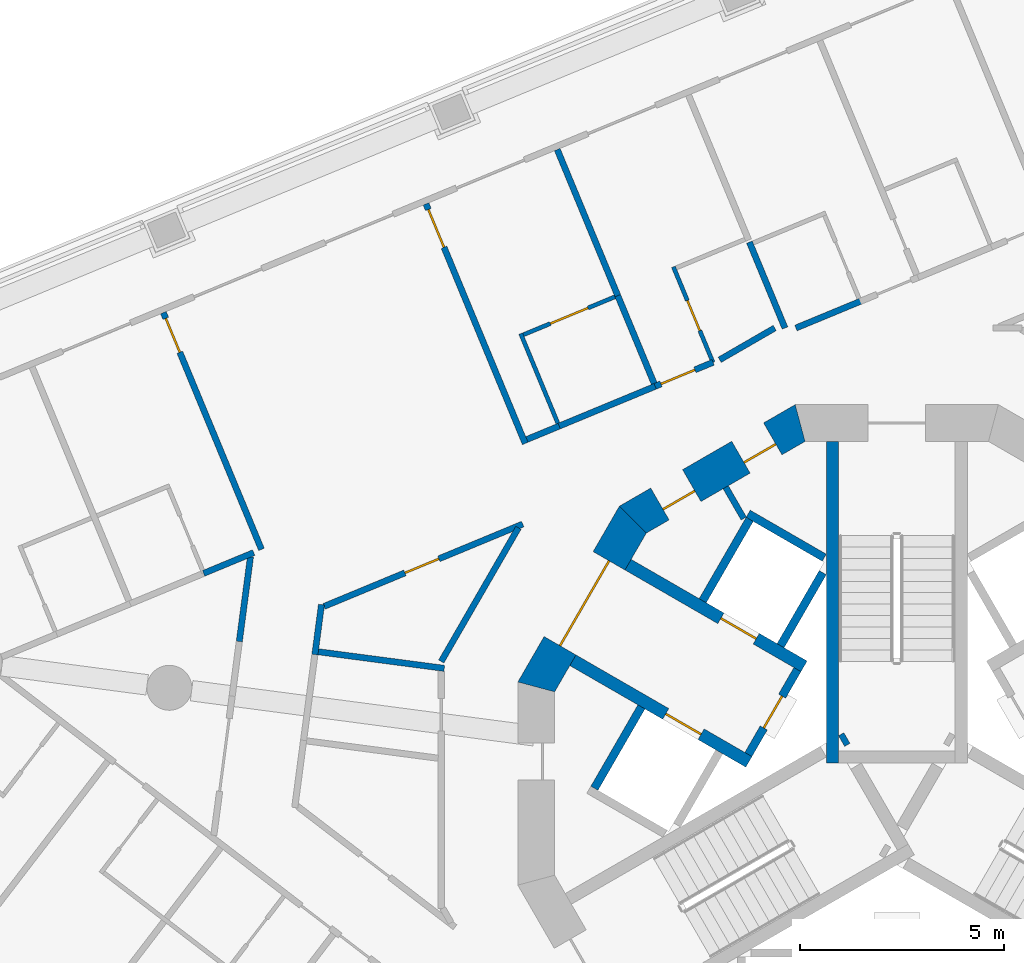
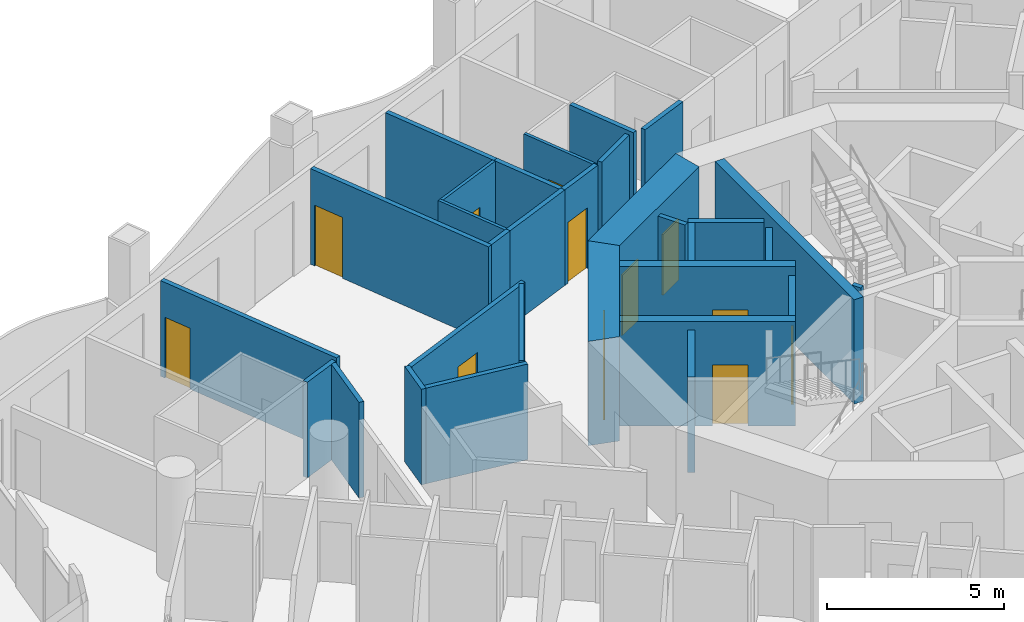
# One storey, part 7 of 17: 31 walls, 12 doors, 12 openings.
"""IFC4 building model written with IfcOpenShell, lengths in metres."""

from ifc_helpers import new_model, si_unit, direction, frame, frame_2d, origin, place, context, subcontext, project, spatial, polyline, rectangle, outline, extrude, material, layer, layer_set, type_object, element, fill, save


model = new_model("IFC4")

# Units and contexts
model_context = context("Model", 3, precision=1e-05, world=origin(), true_north=direction((0.0, 1.0)))
body_context = subcontext(model_context, "Body", "Model", "MODEL_VIEW")
ifc_project = project(units=[si_unit("LENGTHUNIT", "METRE"), si_unit("AREAUNIT", "SQUARE_METRE"), si_unit("VOLUMEUNIT", "CUBIC_METRE"), si_unit("PLANEANGLEUNIT", "RADIAN"), si_unit("MASSUNIT", "GRAM", prefix="KILO")], contexts=[model_context])

# Site, building, storey
site_placement = place(None, origin())
site = spatial("IfcSite", under=ifc_project, at=site_placement, CompositionType="ELEMENT")
building_placement = place(site_placement, origin())
building = spatial("IfcBuilding", under=site, at=building_placement, Name="Trine Commons Tower", CompositionType="ELEMENT")
storey_placement = place(building_placement, frame((0.0, 0.0, 138.60009765625)))
storey = spatial("IfcBuildingStorey", under=building, at=storey_placement, Name="L35", CompositionType="ELEMENT", Elevation=138.60009765625)

# Wall
ifc_material_1 = material(Name="Plasterboard partition on steel studs", Category="steel")
ifc_layer_1 = layer(ifc_material_1, 0.14990234375)
ifc_layer_set_1 = layer_set([ifc_layer_1], Name="Plasterboard partition on steel studs")
wall_type_1 = type_object("IfcWallType", Name="Core room partition 150 mm, EI 60", PredefinedType="PARTITIONING", material=ifc_layer_set_1)
wall_1_placement = place(storey_placement, frame((75.81396484375, 69.7509765625, 0.0), z_axis=(0.0, 0.0, 1.0), x_axis=(0.499890179513, -0.866088799389, 0.0)))
element("IfcWall", 1, at=wall_1_placement, inside=storey, type_object=wall_type_1, Name="Core room partition L35", PredefinedType="PARTITIONING", context=body_context, shape_type="SweptSolid", body=[
    extrude(rectangle(XDim=0.882080078125, YDim=0.14990234375, at=frame_2d((0.44091796875, 0.0))), origin(), (0.0, 0.0, 1.0), 3.2998046875),
])

# Wall, opening, door
ifc_material_2 = material(Name="Fire-rated gypsum shaft wall system")
ifc_layer_2 = layer(ifc_material_2, 0.199951171875)
ifc_layer_set_2 = layer_set([ifc_layer_2], Name="Fire-rated gypsum shaft wall system")
wall_type_2 = type_object("IfcWallType", Name="Lobby end wall 200 mm, EI 120", PredefinedType="PARTITIONING", material=ifc_layer_set_2)
wall_2_placement = place(storey_placement, frame((77.569091796875, 65.2890625, 0.0), z_axis=(0.0, 0.0, 1.0), x_axis=(-0.50012165622, -0.865955154139, 0.0)))
wall_2 = element("IfcWall", 2, at=wall_2_placement, inside=storey, type_object=wall_type_2, Name="Lobby end wall L35", PredefinedType="PARTITIONING", context=body_context, shape_type="SweptSolid", body=[
    extrude(rectangle(XDim=2.39990234375, YDim=0.199951171875, at=frame_2d((1.199951171875, 0.0))), origin(), (0.0, 0.0, 1.0), 3.2998046875),
])
opening_1_placement = place(wall_2_placement, frame((0.749755859375, 0.0, 0.0)))
opening_1 = element("IfcOpeningElement", 3, at=opening_1_placement, cuts=wall_2, Name="Opening K10.07", PredefinedType="OPENING", context=body_context, shape_type="SweptSolid", body=[
    extrude(rectangle(XDim=0.89990234375, YDim=2.10009765625, at=frame_2d((0.449951171875, 1.050048828125))), frame((0.0, 0.10986328125, 0.0), z_axis=(0.0, -1.0, 0.0), x_axis=(1.0, 0.0, 0.0)), (0.0, 0.0, 1.0), 0.219970703125),
])
ifc_material_3 = material(Name="Steel door leaf, fire-rated", Category="steel")
door_type_1 = type_object("IfcDoorType", Name="Riser access door, single leaf 900 x 2100, FD60", OperationType="SINGLE_SWING_LEFT", PredefinedType="DOOR", material=ifc_material_3)
door_1_placement = place(opening_1_placement, frame((0.89990234375, 0.0, 0.0), z_axis=(0.0, 0.0, 1.0), x_axis=(-1.0, 0.0, 0.0)))
door_1 = element("IfcDoor", 4, at=door_1_placement, inside=storey, type_object=door_type_1, Name="Riser door, Mechanical riser L35", OperationType="SINGLE_SWING_RIGHT", OverallHeight=2.10009765625, OverallWidth=0.89990234375, PredefinedType="DOOR", context=body_context, shape_type="SweptSolid", body=[
    extrude(rectangle(XDim=0.89990234375, YDim=2.10009765625, at=frame_2d((0.449951171875, 1.050048828125))), frame((0.0, 0.02490234375, 0.0), z_axis=(0.0, -1.0, 0.0), x_axis=(1.0, 0.0, 0.0)), (0.0, 0.0, 1.0), 0.050048828125),
])
fill(opening_1, door_1)

ifc_material_4 = material(Name="Concrete C70/85", Category="concrete")
ifc_layer_3 = layer(ifc_material_4, 0.300048828125)
ifc_layer_set_3 = layer_set([ifc_layer_3], Name="Concrete C70/85")
wall_type_3 = type_object("IfcWallType", Name="RC shear wall 300 mm, C70/85", PredefinedType="SHEAR", material=ifc_layer_set_3)
wall_3_placement = place(storey_placement, frame((76.381103515625, 63.031005859375, 0.0), z_axis=(0.0, 0.0, 1.0), x_axis=(-0.866080953719, 0.499903772346, 0.0)))
wall_3 = element("IfcWall", 5, at=wall_3_placement, inside=storey, type_object=wall_type_3, Name="Core cross wall SWB-01 L35", PredefinedType="SHEAR", context=body_context, shape_type="SweptSolid", body=[
    extrude(rectangle(XDim=4.97314453125, YDim=0.300048828125, at=frame_2d((2.486572265625, 0.0))), origin(), (0.0, 0.0, 1.0), 3.599853515625),
])
opening_2_placement = place(wall_3_placement, frame((1.350341796875, 0.0, 0.0)))
opening_2 = element("IfcOpeningElement", 6, at=opening_2_placement, cuts=wall_3, Name="Opening LD7", PredefinedType="OPENING", context=body_context, shape_type="SweptSolid", body=[
    extrude(rectangle(XDim=1.0, YDim=2.10009765625, at=frame_2d((0.5, 1.050048828125))), frame((0.0, 0.159912109375, 0.0), z_axis=(0.0, -1.0, 0.0), x_axis=(1.0, 0.0, 0.0)), (0.0, 0.0, 1.0), 0.320068359375),
])
ifc_material_5 = material(Name="Stainless steel sliding door leaves", Category="steel")
door_type_2 = type_object("IfcDoorType", Name="Lift landing door, centre-opening sliding 1000 x 2100, FD90", OperationType="DOUBLE_DOOR_SLIDING", PredefinedType="DOOR", material=ifc_material_5)
door_2_placement = place(opening_2_placement, origin())
door_2 = element("IfcDoor", 7, at=door_2_placement, inside=storey, type_object=door_type_2, Name="Lift landing door HR3 L35", OperationType="DOUBLE_DOOR_SLIDING", OverallHeight=2.10009765625, OverallWidth=1.0, PredefinedType="DOOR", context=body_context, shape_type="SweptSolid", body=[
    extrude(rectangle(XDim=1.0, YDim=2.10009765625, at=frame_2d((0.5, 1.050048828125))), frame((0.0, 0.02490234375, 0.0), z_axis=(0.0, -1.0, 0.0), x_axis=(1.0, 0.0, 0.0)), (0.0, 0.0, 1.0), 0.050048828125),
])
fill(opening_2, door_2)

wall_4_placement = place(storey_placement, frame((77.73095703125, 65.368896484375, 0.0), z_axis=(0.0, 0.0, 1.0), x_axis=(-0.865983655544, 0.500072303102, 0.0)))
wall_4 = element("IfcWall", 8, at=wall_4_placement, inside=storey, type_object=wall_type_3, Name="Core cross wall SWB-02 L35", PredefinedType="SHEAR", context=body_context, shape_type="SweptSolid", body=[
    extrude(rectangle(XDim=4.973388671875, YDim=0.300048828125, at=frame_2d((2.48681640625, 0.0))), origin(), (0.0, 0.0, 1.0), 3.599853515625),
])
opening_3_placement = place(wall_4_placement, frame((1.3505859375, 0.0, 0.0)))
opening_3 = element("IfcOpeningElement", 9, at=opening_3_placement, cuts=wall_4, Name="Opening LD8", PredefinedType="OPENING", context=body_context, shape_type="SweptSolid", body=[
    extrude(rectangle(XDim=1.0, YDim=2.10009765625, at=frame_2d((0.5, 1.050048828125))), frame((0.0, 0.159912109375, 0.0), z_axis=(0.0, -1.0, 0.0), x_axis=(1.0, 0.0, 0.0)), (0.0, 0.0, 1.0), 0.320068359375),
])
door_3_placement = place(opening_3_placement, origin())
door_3 = element("IfcDoor", 10, at=door_3_placement, inside=storey, type_object=door_type_2, Name="Lift landing door HR4 L35", OperationType="DOUBLE_DOOR_SLIDING", OverallHeight=2.10009765625, OverallWidth=1.0, PredefinedType="DOOR", context=body_context, shape_type="SweptSolid", body=[
    extrude(rectangle(XDim=1.0, YDim=2.10009765625, at=frame_2d((0.5, 1.050048828125))), frame((0.0, 0.02490234375, 0.0), z_axis=(0.0, -1.0, 0.0), x_axis=(1.0, 0.0, 0.0)), (0.0, 0.0, 1.0), 0.050048828125),
])
fill(opening_3, door_3)

# Walls
wall_5_placement = place(storey_placement, frame((78.425048828125, 63.0009765625, 0.0), z_axis=(0.0, 0.0, 1.0), x_axis=(0.0, 1.0, 0.0)))
element("IfcWall", 11, at=wall_5_placement, inside=storey, type_object=wall_type_3, Name="Core cross wall SWB-08 L35", PredefinedType="SHEAR", context=body_context, shape_type="SweptSolid", body=[
    extrude(rectangle(XDim=7.8720703125, YDim=0.300048828125, at=frame_2d((3.93603515625, 0.0))), origin(), (0.0, 0.0, 1.0), 3.599853515625),
])
wall_6_placement = place(storey_placement, frame((78.779052734375, 63.614013671875, 0.0), z_axis=(0.0, 0.0, 1.0), x_axis=(-0.867737973955, -0.497021939713, 0.0)))
element("IfcWall", 12, at=wall_6_placement, inside=storey, type_object=wall_type_3, Name="Core cross wall SWB-09 L35", PredefinedType="SHEAR", context=body_context, shape_type="SweptSolid", body=[
    extrude(rectangle(XDim=0.14892578125, YDim=0.300048828125, at=frame_2d((0.074462890625, 0.0))), origin(), (0.0, 0.0, 1.0), 3.599853515625),
])

# Wall, openings, doors
ifc_layer_4 = layer(ifc_material_4, 0.89990234375)
ifc_layer_set_4 = layer_set([ifc_layer_4], Name="Concrete C70/85")
wall_type_4 = type_object("IfcWallType", Name="RC shear wall 900 mm, C70/85", PredefinedType="SHEAR", material=ifc_layer_set_4)
wall_7_placement = place(storey_placement, frame((77.740234375, 71.38330078125, 0.0), z_axis=(0.0, 0.0, 1.0), x_axis=(-0.866003133579, -0.500038571144, 0.0)))
wall_7 = element("IfcWall", 13, at=wall_7_placement, inside=storey, type_object=wall_type_4, Name="Core wall CWD-05 L35", PredefinedType="SHEAR", context=body_context, shape_type="SweptSolid", body=[
    extrude(outline(polyline([(0.0, -0.449951171875), (4.96923828125, -0.449951171875), (4.72802734375, 0.449951171875), (0.2412109375, 0.449951171875), (0.0, -0.449951171875)])), origin(), (0.0, 0.0, 1.0), 3.599853515625),
])
opening_4_placement = place(wall_7_placement, frame((0.89501953125, 0.0, 0.0)))
opening_4 = element("IfcOpeningElement", 14, at=opening_4_placement, cuts=wall_7, Name="Opening K10.13", PredefinedType="OPENING", context=body_context, shape_type="SweptSolid", body=[
    extrude(rectangle(XDim=0.89990234375, YDim=2.10009765625, at=frame_2d((0.449951171875, 1.050048828125))), frame((0.0, 0.4599609375, 0.0), z_axis=(0.0, -1.0, 0.0), x_axis=(1.0, 0.0, 0.0)), (0.0, 0.0, 1.0), 0.919921875),
])
opening_5_placement = place(wall_7_placement, frame((3.18408203125, 0.0, 0.0)))
opening_5 = element("IfcOpeningElement", 15, at=opening_5_placement, cuts=wall_7, Name="Opening K10.14", PredefinedType="OPENING", context=body_context, shape_type="SweptSolid", body=[
    extrude(rectangle(XDim=0.89990234375, YDim=2.10009765625, at=frame_2d((0.449951171875, 1.050048828125))), frame((0.0, 0.4599609375, 0.0), z_axis=(0.0, -1.0, 0.0), x_axis=(1.0, 0.0, 0.0)), (0.0, 0.0, 1.0), 0.919921875),
])
door_type_3 = type_object("IfcDoorType", Name="Core room door, single leaf 900 x 2100, FD30S", OperationType="SINGLE_SWING_LEFT", PredefinedType="DOOR", material=ifc_material_3)
door_4_placement = place(opening_4_placement, origin())
door_4 = element("IfcDoor", 16, at=door_4_placement, inside=storey, type_object=door_type_3, Name="Door to Parcel store L35", OperationType="SINGLE_SWING_LEFT", OverallHeight=2.10009765625, OverallWidth=0.89990234375, PredefinedType="DOOR", context=body_context, shape_type="SweptSolid", body=[
    extrude(rectangle(XDim=0.89990234375, YDim=2.10009765625, at=frame_2d((0.449951171875, 1.050048828125))), frame((0.0, 0.1748046875, 0.0), z_axis=(0.0, -1.0, 0.0), x_axis=(1.0, 0.0, 0.0)), (0.0, 0.0, 1.0), 0.050048828125),
])
fill(opening_4, door_4)
door_5_placement = place(opening_5_placement, origin())
door_5 = element("IfcDoor", 17, at=door_5_placement, inside=storey, type_object=door_type_3, Name="Door to Print room L35", OperationType="SINGLE_SWING_RIGHT", OverallHeight=2.10009765625, OverallWidth=0.89990234375, PredefinedType="DOOR", context=body_context, shape_type="SweptSolid", body=[
    extrude(rectangle(XDim=0.89990234375, YDim=2.10009765625, at=frame_2d((0.449951171875, 1.050048828125))), frame((0.0, 0.1748046875, 0.0), z_axis=(0.0, -1.0, 0.0), x_axis=(1.0, 0.0, 0.0)), (0.0, 0.0, 1.0), 0.050048828125),
])
fill(opening_5, door_5)

# Wall, opening, door
wall_8_placement = place(storey_placement, frame((73.6015625, 69.063232421875, 0.0), z_axis=(0.0, 0.0, 1.0), x_axis=(-0.500038571144, -0.866003133579, 0.0)))
wall_8 = element("IfcWall", 18, at=wall_8_placement, inside=storey, type_object=wall_type_4, Name="Core wall CWD-06 L35", PredefinedType="SHEAR", context=body_context, shape_type="SweptSolid", body=[
    extrude(outline(polyline([(0.0, -0.449951171875), (4.96923828125, -0.449951171875), (4.72802734375, 0.449951171875), (0.2412109375, 0.449951171875), (0.0, -0.449951171875)])), origin(), (0.0, 0.0, 1.0), 3.599853515625),
])
opening_6_placement = place(wall_8_placement, frame((1.28466796875, 0.0, 0.0)))
opening_6 = element("IfcOpeningElement", 19, at=opening_6_placement, cuts=wall_8, Name="Opening K10.06", PredefinedType="OPENING", context=body_context, shape_type="SweptSolid", body=[
    extrude(rectangle(XDim=2.39990234375, YDim=2.10009765625, at=frame_2d((1.199951171875, 1.050048828125))), frame((0.0, 0.4599609375, 0.0), z_axis=(0.0, -1.0, 0.0), x_axis=(1.0, 0.0, 0.0)), (0.0, 0.0, 1.0), 0.919921875),
])
ifc_material_6 = material(Name="Steel door leaves, fire-rated", Category="steel")
door_type_4 = type_object("IfcDoorType", Name="Lobby door, double leaf 2400 x 2100, FD60", OperationType="DOUBLE_DOOR_SINGLE_SWING", PredefinedType="DOOR", material=ifc_material_6)
door_6_placement = place(opening_6_placement, origin())
door_6 = element("IfcDoor", 20, at=door_6_placement, inside=storey, type_object=door_type_4, Name="Lobby door, Passenger lift lobby B L35", OperationType="DOUBLE_DOOR_SINGLE_SWING", OverallHeight=2.10009765625, OverallWidth=2.39990234375, PredefinedType="DOOR", context=body_context, shape_type="SweptSolid", body=[
    extrude(rectangle(XDim=2.39990234375, YDim=2.10009765625, at=frame_2d((1.199951171875, 1.050048828125))), frame((0.0, 0.02490234375, 0.0), z_axis=(0.0, -1.0, 0.0), x_axis=(1.0, 0.0, 0.0)), (0.0, 0.0, 1.0), 0.050048828125),
])
fill(opening_6, door_6)

# Walls
ifc_layer_5 = layer(ifc_material_2, 0.199951171875)
ifc_layer_set_5 = layer_set([ifc_layer_5], Name="Fire-rated gypsum shaft wall system")
wall_type_5 = type_object("IfcWallType", Name="Shaft wall 200 mm, EI 120", PredefinedType="PARTITIONING", material=ifc_layer_set_5)
for number, where, z_axis, x_axis, name in (
    (21, (73.7509765625, 64.3759765625, 0.0), (0.0, 0.0, 1.0), (-0.500136062276, -0.86594683394, 0.0), "Shaft wall L35"),
    (22, (75.2509765625, 66.97412109375, 0.0), (0.0, 0.0, 1.0), (0.500136062276, 0.86594683394, 0.0), "Shaft wall L35"),
):
    element("IfcWall", number, at=place(storey_placement, frame(where, z_axis=z_axis, x_axis=x_axis)), inside=storey, type_object=wall_type_5, Name=name, PredefinedType="PARTITIONING", context=body_context, shape_type="SweptSolid", body=[
        extrude(rectangle(XDim=2.299072265625, YDim=0.199951171875, at=frame_2d((1.1494140625, 0.0))), origin(), (0.0, 0.0, 1.0), 3.2998046875),
    ])
wall_9_placement = place(storey_placement, frame((77.156005859375, 65.8740234375, 0.0), z_axis=(0.0, 0.0, 1.0), x_axis=(0.499865770674, 0.866102887253, 0.0)))
element("IfcWall", 23, at=wall_9_placement, inside=storey, type_object=wall_type_5, Name="Shaft wall L35", PredefinedType="PARTITIONING", context=body_context, shape_type="SweptSolid", body=[
    extrude(rectangle(XDim=2.064453125, YDim=0.199951171875, at=frame_2d((1.0322265625, 0.0))), origin(), (0.0, 0.0, 1.0), 3.2998046875),
])
wall_10_placement = place(storey_placement, frame((78.22509765625, 68.028076171875, 0.0), z_axis=(0.0, 0.0, 1.0), x_axis=(-0.866130725101, 0.499817533742, 0.0)))
element("IfcWall", 24, at=wall_10_placement, inside=storey, type_object=wall_type_5, Name="Shaft wall L35", PredefinedType="PARTITIONING", context=body_context, shape_type="SweptSolid", body=[
    extrude(rectangle(XDim=2.148681640625, YDim=0.199951171875, at=frame_2d((1.07421875, 0.0))), origin(), (0.0, 0.0, 1.0), 3.2998046875),
])

# Wall, opening, door
ifc_material_7 = material(Name="Gypsum plasterboard on steel stud", Category="steel")
ifc_layer_6 = layer(ifc_material_7, 0.14990234375)
ifc_layer_set_6 = layer_set([ifc_layer_6], Name="Gypsum plasterboard on steel stud")
wall_type_6 = type_object("IfcWallType", Name="Unit and corridor wall 150 mm, EI 60", PredefinedType="PARTITIONING", material=ifc_layer_set_6)
wall_11_placement = place(storey_placement, frame((62.05322265625, 74.02294921875, 0.0), z_axis=(0.0, 0.0, 1.0), x_axis=(0.382756471404, -0.923849275368, 0.0)))
wall_11 = element("IfcWall", 25, at=wall_11_placement, inside=storey, type_object=wall_type_6, Name="Partition 017", PredefinedType="PARTITIONING", context=body_context, shape_type="SweptSolid", body=[
    extrude(rectangle(XDim=6.26953125, YDim=0.14990234375, at=frame_2d((3.134765625, 0.0))), origin(), (0.0, 0.0, 1.0), 3.2998046875),
])
opening_7_placement = place(wall_11_placement, frame((0.14990234375, 0.0, 0.0)))
opening_7 = element("IfcOpeningElement", 26, at=opening_7_placement, cuts=wall_11, Name="Opening D-4B06", PredefinedType="OPENING", context=body_context, shape_type="SweptSolid", body=[
    extrude(rectangle(XDim=0.89990234375, YDim=2.10009765625, at=frame_2d((0.449951171875, 1.050048828125))), frame((0.0, 0.0849609375, 0.0), z_axis=(0.0, -1.0, 0.0), x_axis=(1.0, 0.0, 0.0)), (0.0, 0.0, 1.0), 0.169921875),
])
ifc_material_8 = material(Name="Timber fire door set", Category="wood")
door_type_5 = type_object("IfcDoorType", Name="Bedroom door 900 x 2100, FD30S", OperationType="NOTDEFINED", PredefinedType="DOOR", material=ifc_material_8)
door_7_placement = place(opening_7_placement, frame((0.89990234375, 0.0, 0.0), z_axis=(0.0, 0.0, 1.0), x_axis=(-1.0, 0.0, 0.0)))
door_7 = element("IfcDoor", 27, at=door_7_placement, inside=storey, type_object=door_type_5, Name="Door D-4B06", OperationType="SINGLE_SWING_RIGHT", OverallHeight=2.10009765625, OverallWidth=0.89990234375, PredefinedType="DOOR", context=body_context, shape_type="SweptSolid", body=[
    extrude(rectangle(XDim=0.89990234375, YDim=2.10009765625, at=frame_2d((0.449951171875, 1.050048828125))), frame((0.0, 0.02490234375, 0.0), z_axis=(0.0, -1.0, 0.0), x_axis=(1.0, 0.0, 0.0)), (0.0, 0.0, 1.0), 0.050048828125),
])
fill(opening_7, door_7)

# Walls
wall_12_placement = place(storey_placement, frame((63.0380859375, 67.64404296875, 0.0), z_axis=(0.0, 0.0, 1.0), x_axis=(0.923848523473, 0.38275828623, 0.0)))
element("IfcWall", 28, at=wall_12_placement, inside=storey, type_object=wall_type_6, Name="Partition 021", PredefinedType="PARTITIONING", context=body_context, shape_type="SweptSolid", body=[
    extrude(rectangle(XDim=1.326171875, YDim=0.14990234375, at=frame_2d((0.6630859375, 0.0))), origin(), (0.0, 0.0, 1.0), 3.2998046875),
])
wall_13_placement = place(storey_placement, frame((63.910888671875, 65.97705078125, 0.0), z_axis=(0.0, 0.0, 1.0), x_axis=(0.13074768898, 0.9914156756, 0.0)))
element("IfcWall", 29, at=wall_13_placement, inside=storey, type_object=wall_type_6, Name="Partition 025", PredefinedType="PARTITIONING", context=body_context, shape_type="SweptSolid", body=[
    extrude(rectangle(XDim=2.08935546875, YDim=0.14990234375, at=frame_2d((1.044677734375, 0.0))), origin(), (0.0, 0.0, 1.0), 3.2998046875),
])
wall_14_placement = place(storey_placement, frame((65.76025390625, 65.656494140625, 0.0), z_axis=(0.0, 0.0, 1.0), x_axis=(0.131022785859, 0.99137935705, 0.0)))
element("IfcWall", 30, at=wall_14_placement, inside=storey, type_object=wall_type_6, Name="Partition 031", PredefinedType="PARTITIONING", context=body_context, shape_type="SweptSolid", body=[
    extrude(rectangle(XDim=1.233642578125, YDim=0.14990234375, at=frame_2d((0.61669921875, 0.0))), origin(), (0.0, 0.0, 1.0), 3.2998046875),
])
wall_15_placement = place(storey_placement, frame((65.845458984375, 65.72509765625, 0.0), z_axis=(0.0, 0.0, 1.0), x_axis=(0.991429142169, -0.130645535929, 0.0)))
element("IfcWall", 31, at=wall_15_placement, inside=storey, type_object=wall_type_6, Name="Partition 032", PredefinedType="PARTITIONING", context=body_context, shape_type="SweptSolid", body=[
    extrude(rectangle(XDim=3.107666015625, YDim=0.14990234375, at=frame_2d((1.5537109375, 0.0))), origin(), (0.0, 0.0, 1.0), 3.2998046875),
])

# Wall, opening, door
wall_16_placement = place(storey_placement, frame((65.981201171875, 66.833740234375, 0.0), z_axis=(0.0, 0.0, 1.0), x_axis=(0.923830903719, 0.382800811563, 0.0)))
wall_16 = element("IfcWall", 32, at=wall_16_placement, inside=storey, type_object=wall_type_6, Name="Partition 033", PredefinedType="PARTITIONING", context=body_context, shape_type="SweptSolid", body=[
    extrude(rectangle(XDim=5.26611328125, YDim=0.14990234375, at=frame_2d((2.633056640625, 0.0))), origin(), (0.0, 0.0, 1.0), 3.2998046875),
])
opening_8_placement = place(wall_16_placement, frame((2.1455078125, 0.0, 0.0)))
opening_8 = element("IfcOpeningElement", 33, at=opening_8_placement, cuts=wall_16, Name="Opening D-4B33", PredefinedType="OPENING", context=body_context, shape_type="SweptSolid", body=[
    extrude(rectangle(XDim=0.89990234375, YDim=2.10009765625, at=frame_2d((0.449951171875, 1.050048828125))), frame((0.0, 0.0849609375, 0.0), z_axis=(0.0, -1.0, 0.0), x_axis=(1.0, 0.0, 0.0)), (0.0, 0.0, 1.0), 0.169921875),
])
door_type_6 = type_object("IfcDoorType", Name="Service door 900 x 2100, FD30S", OperationType="NOTDEFINED", PredefinedType="DOOR", material=ifc_material_8)
door_8_placement = place(opening_8_placement, frame((0.89990234375, 0.0, 0.0), z_axis=(0.0, 0.0, 1.0), x_axis=(-1.0, 0.0, 0.0)))
door_8 = element("IfcDoor", 34, at=door_8_placement, inside=storey, type_object=door_type_6, Name="Door D-4B33", OperationType="SINGLE_SWING_RIGHT", OverallHeight=2.10009765625, OverallWidth=0.89990234375, PredefinedType="DOOR", context=body_context, shape_type="SweptSolid", body=[
    extrude(rectangle(XDim=0.89990234375, YDim=2.10009765625, at=frame_2d((0.449951171875, 1.050048828125))), frame((0.0, 0.02490234375, 0.0), z_axis=(0.0, -1.0, 0.0), x_axis=(1.0, 0.0, 0.0)), (0.0, 0.0, 1.0), 0.050048828125),
])
fill(opening_8, door_8)

wall_17_placement = place(storey_placement, frame((68.480224609375, 76.68505859375, 0.0), z_axis=(0.0, 0.0, 1.0), x_axis=(0.382450353434, -0.923976042524, 0.0)))
wall_17 = element("IfcWall", 35, at=wall_17_placement, inside=storey, type_object=wall_type_6, Name="Partition 037", PredefinedType="PARTITIONING", context=body_context, shape_type="SweptSolid", body=[
    extrude(rectangle(XDim=6.3447265625, YDim=0.14990234375, at=frame_2d((3.17236328125, 0.0))), origin(), (0.0, 0.0, 1.0), 3.2998046875),
])
opening_9_placement = place(wall_17_placement, frame((0.14990234375, 0.0, 0.0)))
opening_9 = element("IfcOpeningElement", 36, at=opening_9_placement, cuts=wall_17, Name="Opening D-4B07", PredefinedType="OPENING", context=body_context, shape_type="SweptSolid", body=[
    extrude(rectangle(XDim=1.0, YDim=2.10009765625, at=frame_2d((0.5, 1.050048828125))), frame((0.0, 0.0849609375, 0.0), z_axis=(0.0, -1.0, 0.0), x_axis=(1.0, 0.0, 0.0)), (0.0, 0.0, 1.0), 0.169921875),
])
door_type_7 = type_object("IfcDoorType", Name="Bedroom door 1000 x 2100, FD30S", OperationType="NOTDEFINED", PredefinedType="DOOR", material=ifc_material_8)
door_9_placement = place(opening_9_placement, origin())
door_9 = element("IfcDoor", 37, at=door_9_placement, inside=storey, type_object=door_type_7, Name="Door D-4B07", OperationType="SINGLE_SWING_LEFT", OverallHeight=2.10009765625, OverallWidth=1.0, PredefinedType="DOOR", context=body_context, shape_type="SweptSolid", body=[
    extrude(rectangle(XDim=1.0, YDim=2.10009765625, at=frame_2d((0.5, 1.050048828125))), frame((0.0, 0.02490234375, 0.0), z_axis=(0.0, -1.0, 0.0), x_axis=(1.0, 0.0, 0.0)), (0.0, 0.0, 1.0), 0.050048828125),
])
fill(opening_9, door_9)

# Walls
wall_18_placement = place(storey_placement, frame((68.85205078125, 65.487060546875, 0.0), z_axis=(0.0, 0.0, 1.0), x_axis=(0.500065504582, 0.865987581393, 0.0)))
element("IfcWall", 38, at=wall_18_placement, inside=storey, type_object=wall_type_6, Name="Partition 040", PredefinedType="PARTITIONING", context=body_context, shape_type="SweptSolid", body=[
    extrude(rectangle(XDim=3.7783203125, YDim=0.14990234375, at=frame_2d((1.88916015625, 0.0))), origin(), (0.0, 0.0, 1.0), 3.2998046875),
])
wall_19_placement = place(storey_placement, frame((70.947265625, 70.920654296875, 0.0), z_axis=(0.0, 0.0, 1.0), x_axis=(0.924110536197, 0.382125263349, 0.0)))
element("IfcWall", 39, at=wall_19_placement, inside=storey, type_object=wall_type_6, Name="Partition 046", PredefinedType="PARTITIONING", context=body_context, shape_type="SweptSolid", body=[
    extrude(rectangle(XDim=0.856689453125, YDim=0.14990234375, at=frame_2d((0.42822265625, 0.0))), origin(), (0.0, 0.0, 1.0), 3.2998046875),
])
wall_20_placement = place(storey_placement, frame((71.69140625, 78.014892578125, 0.0), z_axis=(0.0, 0.0, 1.0), x_axis=(0.382665703831, -0.923886875711, 0.0)))
element("IfcWall", 40, at=wall_20_placement, inside=storey, type_object=wall_type_6, Name="Partition 048", PredefinedType="PARTITIONING", context=body_context, shape_type="SweptSolid", body=[
    extrude(rectangle(XDim=3.869384765625, YDim=0.14990234375, at=frame_2d((1.9345703125, 0.0))), origin(), (0.0, 0.0, 1.0), 3.2998046875),
])
wall_21_placement = place(storey_placement, frame((71.684814453125, 71.225830078125, 0.0), z_axis=(0.0, 0.0, 1.0), x_axis=(0.923883380163, 0.382674143181, 0.0)))
element("IfcWall", 41, at=wall_21_placement, inside=storey, type_object=wall_type_6, Name="Partition 049", PredefinedType="PARTITIONING", context=body_context, shape_type="SweptSolid", body=[
    extrude(rectangle(XDim=2.608642578125, YDim=0.14990234375, at=frame_2d((1.30419921875, 0.0))), origin(), (0.0, 0.0, 1.0), 3.2998046875),
])
wall_22_placement = place(storey_placement, frame((73.172119140625, 74.43994140625, 0.0), z_axis=(0.0, 0.0, 1.0), x_axis=(0.382877328836, -0.923799194123, 0.0)))
element("IfcWall", 42, at=wall_22_placement, inside=storey, type_object=wall_type_6, Name="Partition 051", PredefinedType="PARTITIONING", context=body_context, shape_type="SweptSolid", body=[
    extrude(rectangle(XDim=2.324951171875, YDim=0.14990234375, at=frame_2d((1.16259765625, 0.0))), origin(), (0.0, 0.0, 1.0), 3.2998046875),
])

# Wall, opening, door
wall_23_placement = place(storey_placement, frame((74.087890625, 72.220947265625, 0.0), z_axis=(0.0, 0.0, 1.0), x_axis=(0.923720156635, 0.383067973375, 0.0)))
wall_23 = element("IfcWall", 43, at=wall_23_placement, inside=storey, type_object=wall_type_6, Name="Partition 054", PredefinedType="PARTITIONING", context=body_context, shape_type="SweptSolid", body=[
    extrude(rectangle(XDim=1.535400390625, YDim=0.14990234375, at=frame_2d((0.767578125, 0.0))), origin(), (0.0, 0.0, 1.0), 3.2998046875),
])
opening_10_placement = place(wall_23_placement, frame((0.153564453125, 0.0, 0.0)))
opening_10 = element("IfcOpeningElement", 44, at=opening_10_placement, cuts=wall_23, Name="Opening D-4B08", PredefinedType="OPENING", context=body_context, shape_type="SweptSolid", body=[
    extrude(rectangle(XDim=0.89990234375, YDim=2.10009765625, at=frame_2d((0.449951171875, 1.050048828125))), frame((0.0, 0.0849609375, 0.0), z_axis=(0.0, -1.0, 0.0), x_axis=(1.0, 0.0, 0.0)), (0.0, 0.0, 1.0), 0.169921875),
])
door_10_placement = place(opening_10_placement, origin())
door_10 = element("IfcDoor", 45, at=door_10_placement, inside=storey, type_object=door_type_5, Name="Door D-4B08", OperationType="SINGLE_SWING_LEFT", OverallHeight=2.10009765625, OverallWidth=0.89990234375, PredefinedType="DOOR", context=body_context, shape_type="SweptSolid", body=[
    extrude(rectangle(XDim=0.89990234375, YDim=2.10009765625, at=frame_2d((0.449951171875, 1.050048828125))), frame((0.0, 0.02490234375, 0.0), z_axis=(0.0, -1.0, 0.0), x_axis=(1.0, 0.0, 0.0)), (0.0, 0.0, 1.0), 0.050048828125),
])
fill(opening_10, door_10)

# Walls
wall_24_placement = place(storey_placement, frame((75.666015625, 72.8701171875, 0.0), z_axis=(0.0, 0.0, 1.0), x_axis=(0.865973841288, 0.500089298231, 0.0)))
element("IfcWall", 46, at=wall_24_placement, inside=storey, type_object=wall_type_6, Name="Partition 060", PredefinedType="PARTITIONING", context=body_context, shape_type="SweptSolid", body=[
    extrude(rectangle(XDim=1.555419921875, YDim=0.14990234375, at=frame_2d((0.77783203125, 0.0))), origin(), (0.0, 0.0, 1.0), 3.2998046875),
])
wall_25_placement = place(storey_placement, frame((76.393798828125, 75.750244140625, 0.0), z_axis=(0.0, 0.0, 1.0), x_axis=(0.382427611574, -0.923985455462, 0.0)))
element("IfcWall", 47, at=wall_25_placement, inside=storey, type_object=wall_type_6, Name="Partition 063", PredefinedType="PARTITIONING", context=body_context, shape_type="SweptSolid", body=[
    extrude(rectangle(XDim=2.275146484375, YDim=0.14990234375, at=frame_2d((1.1376953125, 0.0))), origin(), (0.0, 0.0, 1.0), 3.2998046875),
])
wall_26_placement = place(storey_placement, frame((77.531982421875, 73.64794921875, 0.0), z_axis=(0.0, 0.0, 1.0), x_axis=(0.923933858908, 0.3825522505, 0.0)))
element("IfcWall", 48, at=wall_26_placement, inside=storey, type_object=wall_type_6, Name="Partition 065", PredefinedType="PARTITIONING", context=body_context, shape_type="SweptSolid", body=[
    extrude(rectangle(XDim=1.7568359375, YDim=0.14990234375, at=frame_2d((0.87841796875, 0.0))), origin(), (0.0, 0.0, 1.0), 3.2998046875),
])
ifc_layer_7 = layer(ifc_material_7, 0.10009765625)
ifc_layer_set_7 = layer_set([ifc_layer_7], Name="Gypsum plasterboard on steel stud")
wall_type_7 = type_object("IfcWallType", Name="Unit partition 100 mm, no rating", PredefinedType="PARTITIONING", material=ifc_layer_set_7)
wall_27_placement = place(storey_placement, frame((70.796875, 73.51025390625, 0.0), z_axis=(0.0, 0.0, 1.0), x_axis=(0.382935858865, -0.923774933626, 0.0)))
element("IfcWall", 49, at=wall_27_placement, inside=storey, type_object=wall_type_7, Name="Partition 044", PredefinedType="PARTITIONING", context=body_context, shape_type="SweptSolid", body=[
    extrude(rectangle(XDim=2.374755859375, YDim=0.10009765625, at=frame_2d((1.1875, 0.0))), origin(), (0.0, 0.0, 1.0), 3.2998046875),
])

# Wall, opening, door
wall_28_placement = place(storey_placement, frame((70.8623046875, 73.483154296875, 0.0), z_axis=(0.0, 0.0, 1.0), x_axis=(0.923852403891, 0.382748920082, 0.0)))
wall_28 = element("IfcWall", 50, at=wall_28_placement, inside=storey, type_object=wall_type_7, Name="Partition 045", PredefinedType="PARTITIONING", context=body_context, shape_type="SweptSolid", body=[
    extrude(rectangle(XDim=2.425048828125, YDim=0.10009765625, at=frame_2d((1.21240234375, 0.0))), origin(), (0.0, 0.0, 1.0), 3.2998046875),
])
opening_11_placement = place(wall_28_placement, frame((0.712646484375, 0.0, 0.0)))
opening_11 = element("IfcOpeningElement", 51, at=opening_11_placement, cuts=wall_28, Name="Opening D-4B38", PredefinedType="OPENING", context=body_context, shape_type="SweptSolid", body=[
    extrude(rectangle(XDim=1.0, YDim=2.10009765625, at=frame_2d((0.5, 1.050048828125))), frame((0.0, 0.06005859375, 0.0), z_axis=(0.0, -1.0, 0.0), x_axis=(1.0, 0.0, 0.0)), (0.0, 0.0, 1.0), 0.1201171875),
])
ifc_material_9 = material(Name="Painted timber", Category="wood")
door_type_8 = type_object("IfcDoorType", Name="Internal door 1000 x 2100, NOT RATED", OperationType="NOTDEFINED", PredefinedType="DOOR", material=ifc_material_9)
door_11_placement = place(opening_11_placement, origin())
door_11 = element("IfcDoor", 52, at=door_11_placement, inside=storey, type_object=door_type_8, Name="Door D-4B38", OperationType="SINGLE_SWING_RIGHT", OverallHeight=2.10009765625, OverallWidth=1.0, PredefinedType="DOOR", context=body_context, shape_type="SweptSolid", body=[
    extrude(rectangle(XDim=1.0, YDim=2.10009765625, at=frame_2d((0.5, 1.050048828125))), frame((0.0, 0.02490234375, 0.0), z_axis=(0.0, -1.0, 0.0), x_axis=(1.0, 0.0, 0.0)), (0.0, 0.0, 1.0), 0.050048828125),
])
fill(opening_11, door_11)

wall_29_placement = place(storey_placement, frame((74.533935546875, 75.145263671875, 0.0), z_axis=(0.0, 0.0, 1.0), x_axis=(0.382490955249, -0.923959235655, 0.0)))
wall_29 = element("IfcWall", 53, at=wall_29_placement, inside=storey, type_object=wall_type_7, Name="Partition 057", PredefinedType="PARTITIONING", context=body_context, shape_type="SweptSolid", body=[
    extrude(rectangle(XDim=2.53076171875, YDim=0.10009765625, at=frame_2d((1.265380859375, 0.0))), origin(), (0.0, 0.0, 1.0), 3.2998046875),
])
opening_12_placement = place(wall_29_placement, frame((0.890380859375, 0.0, 0.0)))
opening_12 = element("IfcOpeningElement", 54, at=opening_12_placement, cuts=wall_29, Name="Opening D-4B39", PredefinedType="OPENING", context=body_context, shape_type="SweptSolid", body=[
    extrude(rectangle(XDim=0.800048828125, YDim=2.10009765625, at=frame_2d((0.39990234375, 1.050048828125))), frame((0.0, 0.06005859375, 0.0), z_axis=(0.0, -1.0, 0.0), x_axis=(1.0, 0.0, 0.0)), (0.0, 0.0, 1.0), 0.1201171875),
])
door_type_9 = type_object("IfcDoorType", Name="Internal door 800 x 2100, NOT RATED", OperationType="NOTDEFINED", PredefinedType="DOOR", material=ifc_material_9)
door_12_placement = place(opening_12_placement, frame((0.800048828125, 0.0, 0.0), z_axis=(0.0, 0.0, 1.0), x_axis=(-1.0, 0.0, 0.0)))
door_12 = element("IfcDoor", 55, at=door_12_placement, inside=storey, type_object=door_type_9, Name="Door D-4B39", OperationType="SINGLE_SWING_LEFT", OverallHeight=2.10009765625, OverallWidth=0.800048828125, PredefinedType="DOOR", context=body_context, shape_type="SweptSolid", body=[
    extrude(rectangle(XDim=0.800048828125, YDim=2.10009765625, at=frame_2d((0.39990234375, 1.050048828125))), frame((0.0, 0.02490234375, 0.0), z_axis=(0.0, -1.0, 0.0), x_axis=(1.0, 0.0, 0.0)), (0.0, 0.0, 1.0), 0.050048828125),
])
fill(opening_12, door_12)

save(model, "model.ifc")
